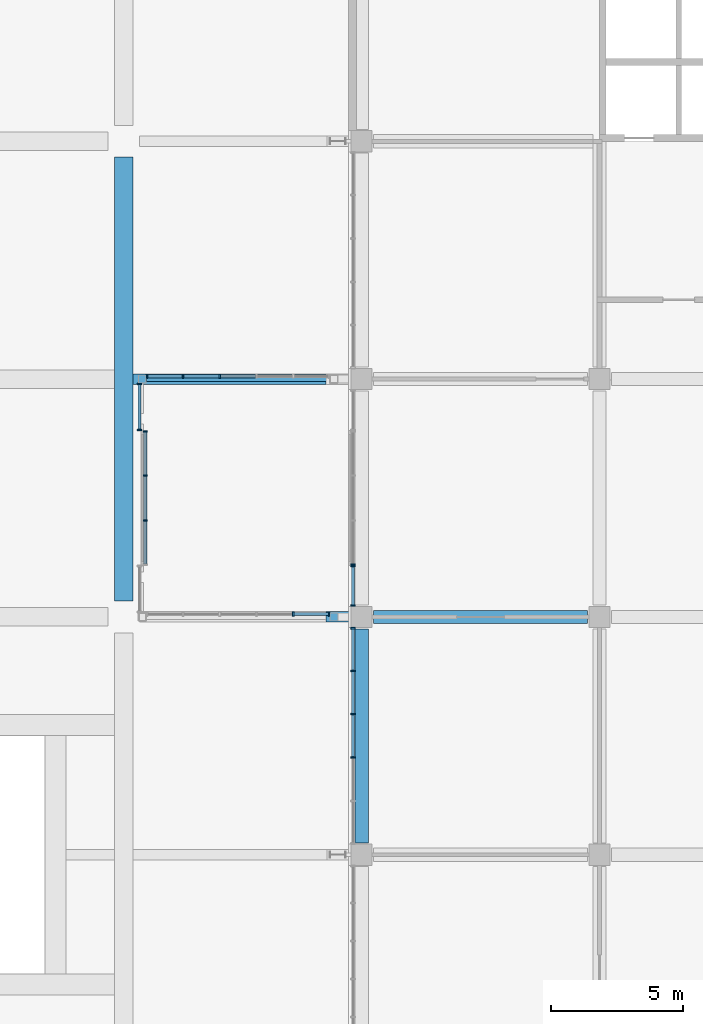
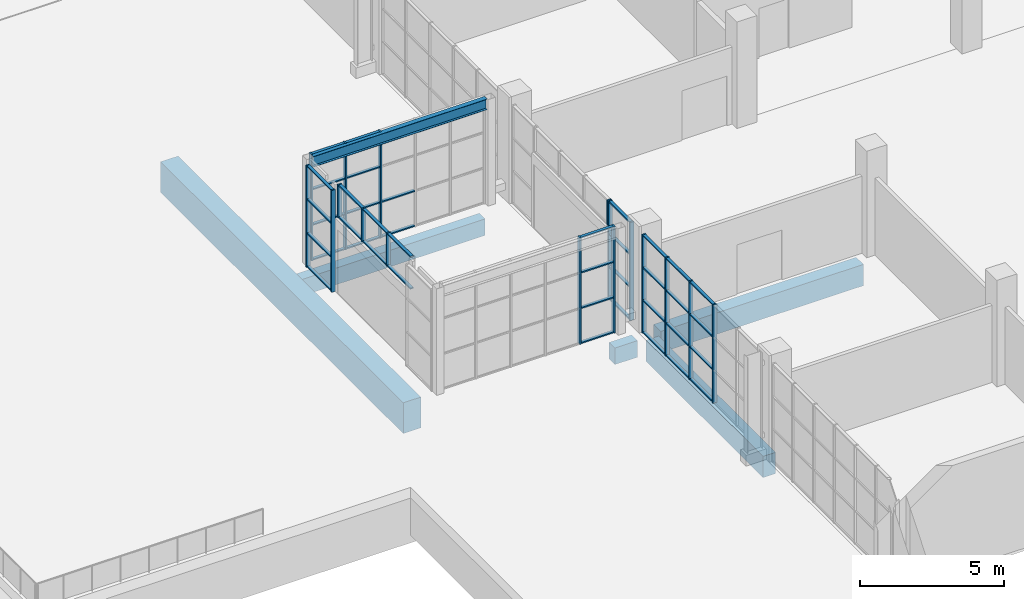
# One storey, part 24 of 168: 57 members, 6 beams, 7 elements without a shape of their own.
"""IFC4 building model written with IfcOpenShell, lengths in metres."""

import ifcopenshell
import ifcopenshell.guid

model = None  # the IFC model being written
_history = None  # IfcOwnerHistory: only IFC2X3 demands one
_inside = {}  # id of a spatial element -> (the spatial element, [elements in it])
_under = {}  # id of a project, library or spatial element -> (it, [spatial elements below it])
_declared = {}  # id of a project -> (the project, [libraries it declares])
_typed = {}  # id of a type object -> (the type object, [elements of that type])
_made_of = {}  # id of a material, layer set ... -> (it, [elements and type objects made of it])


def new_model(schema):
    """Start an empty IFC model of exactly this schema.

    Asked for "IFC4X3", IfcOpenShell would pick the latest addendum, in which some entities
    have other attributes; the version numbers below select the first issue.
    IFC2X3 requires an IfcOwnerHistory on every rooted entity: one is made here for all.
    """
    global model, _history
    if schema == "IFC4X3":
        model = ifcopenshell.file(schema_version=(4, 3, 0, 0))
    else:
        model = ifcopenshell.file(schema=schema)
    _inside.clear()
    _under.clear()
    _declared.clear()
    _typed.clear()
    _made_of.clear()
    _history = None
    if model.schema == "IFC2X3":
        org = make("IfcOrganization", Name="unknown")
        user = make(
            "IfcPersonAndOrganization",
            ThePerson=make("IfcPerson", FamilyName="unknown"),
            TheOrganization=org,
        )
        app = make(
            "IfcApplication",
            ApplicationDeveloper=org,
            Version="unknown",
            ApplicationFullName="unknown",
            ApplicationIdentifier="unknown",
        )
        _history = make(
            "IfcOwnerHistory",
            OwningUser=user,
            OwningApplication=app,
            ChangeAction="ADDED",
            CreationDate=0,
        )
    return model


def make(cls, **values):
    """One entity of the class cls with the attributes given. An attribute that is None is left unset."""
    return model.create_entity(
        cls, **{name: value for name, value in values.items() if value is not None}
    )


def rooted(cls, **values):
    """An entity with a GlobalId (a new one), such as an element, a storey or a relation."""
    return make(cls, GlobalId=ifcopenshell.guid.new(), OwnerHistory=_history, **values)


def si_unit(unit_type, name, prefix=None):
    """IfcSIUnit, for example si_unit("LENGTHUNIT", "METRE", prefix="MILLI")."""
    return make("IfcSIUnit", UnitType=unit_type, Prefix=prefix, Name=name)


def assignment(units):
    """IfcUnitAssignment: the units of a project."""
    return None if units is None else make("IfcUnitAssignment", Units=units)


def point(xyz):
    """IfcCartesianPoint."""
    return None if xyz is None else make("IfcCartesianPoint", Coordinates=xyz)


def direction(xyz):
    """IfcDirection."""
    return None if xyz is None else make("IfcDirection", DirectionRatios=xyz)


def frame(location, z_axis=None, x_axis=None):
    """IfcAxis2Placement3D, a coordinate frame: its origin and axes. An axis left out is left unset."""
    return make(
        "IfcAxis2Placement3D",
        Location=point(location),
        Axis=direction(z_axis),
        RefDirection=direction(x_axis),
    )


def frame_2d(location, x_axis=None):
    """IfcAxis2Placement2D, a coordinate frame in the plane: its origin and x axis."""
    return make(
        "IfcAxis2Placement2D", Location=point(location), RefDirection=direction(x_axis)
    )


def origin():
    """The frame at (0, 0, 0) with its axes left unset."""
    return frame((0.0, 0.0, 0.0))


def origin_2d():
    """The frame at (0, 0) in the plane with its x axis left unset."""
    return frame_2d((0.0, 0.0))


def place(relative_to, where):
    """IfcLocalPlacement: puts the frame where relative to a parent placement (None: the world)."""
    return make(
        "IfcLocalPlacement", PlacementRelTo=relative_to, RelativePlacement=where
    )


def context(
    kind, dimensions, precision=None, world=None, true_north=None, identifier=None
):
    """IfcGeometricRepresentationContext, for example the 3D "Model" context."""
    return make(
        "IfcGeometricRepresentationContext",
        ContextIdentifier=identifier,
        ContextType=kind,
        CoordinateSpaceDimension=dimensions,
        Precision=precision,
        WorldCoordinateSystem=world,
        TrueNorth=true_north,
    )


def subcontext(parent, identifier, kind, view, scale=None):
    """IfcGeometricRepresentationSubContext, for example "Body" below "Model"."""
    return make(
        "IfcGeometricRepresentationSubContext",
        ContextIdentifier=identifier,
        ContextType=kind,
        ParentContext=parent,
        TargetScale=scale,
        TargetView=view,
    )


def project(units=None, contexts=None):
    """IfcProject with its units and contexts."""
    return rooted(
        "IfcProject",
        Name="project",
        RepresentationContexts=contexts,
        UnitsInContext=assignment(units),
    )


def spatial(cls, under=None, at=None, **own):
    """A site, building, storey or space (cls), placed at a placement, below another one or the project."""
    s = rooted(cls, ObjectPlacement=at, **own)
    if under is not None:
        _under.setdefault(under.id(), (under, []))[1].append(s)
    return s


def profile(cls, at=None, kind="AREA", **sizes):
    """A parametric profile (cls). Its sizes go by their IFC names, for example OverallWidth=200.0."""
    return make(cls, ProfileType=kind, Position=at, **sizes)


def rectangle(**sizes):
    """IfcRectangleProfileDef."""
    return profile("IfcRectangleProfileDef", **sizes)


def i_section(**sizes):
    """IfcIShapeProfileDef."""
    return profile("IfcIShapeProfileDef", **sizes)


def extrude(swept, where, along, depth):
    """IfcExtrudedAreaSolid: the profile swept, set in the frame where, extruded along a direction by depth."""
    return make(
        "IfcExtrudedAreaSolid",
        SweptArea=swept,
        Position=where,
        ExtrudedDirection=direction(along),
        Depth=depth,
    )


def shape(context_of_items, identifier, shape_type, items):
    """IfcShapeRepresentation: the items that make up one representation, for example the "Body"."""
    return make(
        "IfcShapeRepresentation",
        ContextOfItems=context_of_items,
        RepresentationIdentifier=identifier,
        RepresentationType=shape_type,
        Items=items,
    )


def material(Name=None, Category=None):
    """IfcMaterial."""
    return make("IfcMaterial", Name=Name, Category=Category)


def material_profile(
    of_material, cross_section, Name=None, Category=None, Priority=None
):
    """IfcMaterialProfile: a cross section and its material."""
    return make(
        "IfcMaterialProfile",
        Name=Name,
        Material=of_material,
        Profile=cross_section,
        Priority=Priority,
        Category=Category,
    )


def profile_set(profiles, Name=None, composite=None):
    """IfcMaterialProfileSet."""
    return make(
        "IfcMaterialProfileSet",
        Name=Name,
        MaterialProfiles=profiles,
        CompositeProfile=composite,
    )


def made_of(thing, what):
    """Note that an element or type object is made of a material, layer set ...; save() writes the relation."""
    if what is not None:
        _made_of.setdefault(what.id(), (what, []))[1].append(thing)
    return thing


def type_object(cls, material=None, **own):
    """A type object (cls), such as IfcWallType, which elements share."""
    return made_of(rooted(cls, **own), material)


def element(
    cls,
    number,
    at=None,
    inside=None,
    cuts=None,
    type_object=None,
    material=None,
    context=None,
    identifier="Body",
    shape_type=None,
    held_by="IfcProductDefinitionShape",
    body=None,
    shapes=None,
    **own,
):
    """One element of the class cls, such as IfcWall. Its Tag is "e" and its number.

    at: its placement. inside: the storey or other place that contains it. cuts: it is an
    opening in that element (IfcRelVoidsElement). A single representation is given by context,
    identifier, shape_type and body (its items); several are given by shapes. held_by: the class
    of the entity that holds the representations. save() writes the other relations.
    """
    e = rooted(cls, Tag="e%d" % number, ObjectPlacement=at, **own)
    if body is not None:
        shapes = [shape(context, identifier, shape_type, body)]
    if shapes is not None:
        e.Representation = make(held_by, Representations=shapes)
    if inside is not None:
        _inside.setdefault(inside.id(), (inside, []))[1].append(e)
    if cuts is not None:
        rooted(
            "IfcRelVoidsElement", RelatingBuildingElement=cuts, RelatedOpeningElement=e
        )
    if type_object is not None:
        _typed.setdefault(type_object.id(), (type_object, []))[1].append(e)
    return made_of(e, material)


def aggregate(whole, parts):
    """IfcRelAggregates: a whole, such as a stair, and the parts it consists of."""
    return rooted("IfcRelAggregates", RelatingObject=whole, RelatedObjects=parts)


def save(model, path):
    """Write the relations noted so far, then the file.

    IfcRelAggregates (storeys below a building ...), IfcRelContainedInSpatialStructure (elements
    in a storey), IfcRelDefinesByType, IfcRelAssociatesMaterial and IfcRelDeclares: one each for
    every whole, place, type object, material and project.
    """
    for whole, parts in _under.values():
        aggregate(whole, parts)
    for where, things in _inside.values():
        rooted(
            "IfcRelContainedInSpatialStructure",
            RelatedElements=things,
            RelatingStructure=where,
        )
    for kind, things in _typed.values():
        rooted("IfcRelDefinesByType", RelatedObjects=things, RelatingType=kind)
    for what, things in _made_of.values():
        rooted("IfcRelAssociatesMaterial", RelatedObjects=things, RelatingMaterial=what)
    for by, libraries in _declared.values():
        rooted("IfcRelDeclares", RelatingContext=by, RelatedDefinitions=libraries)
    model.write(path)


model = new_model("IFC4")

# Units and contexts
model_context = context("Model", 3, precision=1e-05, world=origin(), true_north=direction((0.0, 1.0)))
body_context = subcontext(model_context, "Body", "Model", "MODEL_VIEW")
ifc_project = project(units=[si_unit("LENGTHUNIT", "METRE"), si_unit("AREAUNIT", "SQUARE_METRE"), si_unit("VOLUMEUNIT", "CUBIC_METRE"), si_unit("PLANEANGLEUNIT", "RADIAN"), si_unit("MASSUNIT", "GRAM", prefix="KILO")], contexts=[model_context])

# Site, building, storey
site_placement = place(None, origin())
site = spatial("IfcSite", under=ifc_project, at=site_placement, CompositionType="ELEMENT")
building_placement = place(site_placement, origin())
building = spatial("IfcBuilding", under=site, at=building_placement, Name="Silverbay Arena", CompositionType="ELEMENT")
storey_placement = place(building_placement, frame((0.0, 0.0, 7.0)))
storey = spatial("IfcBuildingStorey", under=building, at=storey_placement, Name="L01", CompositionType="ELEMENT", Elevation=7.0)

# Beam
ifc_material_1 = material(Name="Steel S355", Category="steel")
ifc_material_profile_1 = material_profile(ifc_material_1, i_section(OverallWidth=0.18994140625, OverallDepth=0.453369140625, WebThickness=0.008544921875, FlangeThickness=0.0126953125, at=origin_2d()), Name="UB 457x191x67")
ifc_profile_set_1 = profile_set([ifc_material_profile_1], Name="Steel S355")
beam_type_1 = type_object("IfcBeamType", Name="Hall beam UB 457x191x67", PredefinedType="BEAM", material=ifc_profile_set_1)
beam_1_placement = place(storey_placement, frame((25.800048828125, 63.0, 4.273193359375), z_axis=(-1.0, 0.0, 0.0), x_axis=(0.0, -1.0, 0.0)))
element("IfcBeam", 1, at=beam_1_placement, inside=storey, type_object=beam_type_1, Name="West entrance hall W0 transverse beam 2L11", PredefinedType="BEAM", context=body_context, shape_type="SweptSolid", body=[
    extrude(i_section(OverallWidth=0.18994140625, OverallDepth=0.453369140625, WebThickness=0.008544921875, FlangeThickness=0.0126953125, at=origin_2d()), origin(), (0.0, 0.0, 1.0), 6.949951171875),
])

# Curtain wall, members
ifc_material_2 = material(Name="Aluminium framed curtain wall", Category="aluminium")
curtain_wall_type_1 = type_object("IfcCurtainWallType", Name="Curtain wall 8200 x 4150", PredefinedType="NOTDEFINED", material=ifc_material_2)
curtain_wall_1_placement = place(storey_placement, origin())
curtain_wall_1 = element("IfcCurtainWall", 2, at=curtain_wall_1_placement, inside=storey, type_object=curtain_wall_type_1, Name="West curtain wall L01 bay 4", PredefinedType="NOTDEFINED")
ifc_material_3 = material(Name="Aluminium", Category="aluminium")
ifc_material_profile_2 = material_profile(ifc_material_3, rectangle(XDim=0.159912109375, YDim=0.06005859375, at=origin_2d()), Name="Mullion 60 x 160")
ifc_profile_set_2 = profile_set([ifc_material_profile_2], Name="Aluminium")
member_type_1 = type_object("IfcMemberType", Name="Mullion 60 x 160", PredefinedType="MULLION", material=ifc_profile_set_2)
member_1_placement = place(storey_placement, frame((26.669921875, 53.570068359375, 0.0), z_axis=(0.0, 0.0, 1.0), x_axis=(1.0, 0.0, 0.0)))
member_1 = element("IfcMember", 3, at=member_1_placement, type_object=member_type_1, Name="CW7 mullion 1", PredefinedType="MULLION", context=body_context, shape_type="SweptSolid", body=[
    extrude(rectangle(XDim=0.159912109375, YDim=0.06005859375, at=origin_2d()), origin(), (0.0, 0.0, 1.0), 4.14990234375),
])
member_2_placement = place(storey_placement, frame((26.669921875, 51.9599609375, 0.0), z_axis=(0.0, 0.0, 1.0), x_axis=(1.0, 0.0, 0.0)))
member_2 = element("IfcMember", 4, at=member_2_placement, type_object=member_type_1, Name="CW7 mullion 2", PredefinedType="MULLION", context=body_context, shape_type="SweptSolid", body=[
    extrude(rectangle(XDim=0.159912109375, YDim=0.06005859375, at=origin_2d()), origin(), (0.0, 0.0, 1.0), 4.14990234375),
])
member_3_placement = place(storey_placement, frame((26.669921875, 50.320068359375, 0.0), z_axis=(0.0, 0.0, 1.0), x_axis=(1.0, 0.0, 0.0)))
member_3 = element("IfcMember", 5, at=member_3_placement, type_object=member_type_1, Name="CW7 mullion 3", PredefinedType="MULLION", context=body_context, shape_type="SweptSolid", body=[
    extrude(rectangle(XDim=0.159912109375, YDim=0.06005859375, at=origin_2d()), origin(), (0.0, 0.0, 1.0), 4.14990234375),
])
member_4_placement = place(storey_placement, frame((26.669921875, 48.679931640625, 0.0), z_axis=(0.0, 0.0, 1.0), x_axis=(1.0, 0.0, 0.0)))
member_4 = element("IfcMember", 6, at=member_4_placement, type_object=member_type_1, Name="CW7 mullion 4", PredefinedType="MULLION", context=body_context, shape_type="SweptSolid", body=[
    extrude(rectangle(XDim=0.159912109375, YDim=0.06005859375, at=origin_2d()), origin(), (0.0, 0.0, 1.0), 4.14990234375),
])

ifc_material_4 = material(Name="Aluminium framed curtain wall", Category="aluminium")
curtain_wall_type_2 = type_object("IfcCurtainWallType", Name="Curtain wall 1550 x 4150", PredefinedType="NOTDEFINED", material=ifc_material_4)
curtain_wall_2_placement = place(storey_placement, origin())
curtain_wall_2 = element("IfcCurtainWall", 7, at=curtain_wall_2_placement, inside=storey, type_object=curtain_wall_type_2, Name="West curtain wall L01 bay 5", PredefinedType="NOTDEFINED")
member_5_placement = place(storey_placement, frame((26.669921875, 55.919921875, 0.0), z_axis=(0.0, 0.0, 1.0), x_axis=(1.0, 0.0, 0.0)))
member_5 = element("IfcMember", 8, at=member_5_placement, type_object=member_type_1, Name="CW8 mullion 1", PredefinedType="MULLION", context=body_context, shape_type="SweptSolid", body=[
    extrude(rectangle(XDim=0.159912109375, YDim=0.06005859375, at=origin_2d()), origin(), (0.0, 0.0, 1.0), 4.14990234375),
])
member_6_placement = place(storey_placement, frame((26.669921875, 54.429931640625, 0.0), z_axis=(0.0, 0.0, 1.0), x_axis=(1.0, 0.0, 0.0)))
member_6 = element("IfcMember", 9, at=member_6_placement, type_object=member_type_1, Name="CW8 mullion 2", PredefinedType="MULLION", context=body_context, shape_type="SweptSolid", body=[
    extrude(rectangle(XDim=0.159912109375, YDim=0.06005859375, at=origin_2d()), origin(), (0.0, 0.0, 1.0), 4.14990234375),
])

# Curtain wall, member
ifc_material_5 = material(Name="Aluminium framed curtain wall", Category="aluminium")
curtain_wall_type_3 = type_object("IfcCurtainWallType", Name="Curtain wall 5100 x 1050", PredefinedType="NOTDEFINED", material=ifc_material_5)
curtain_wall_3_placement = place(storey_placement, origin())
curtain_wall_3 = element("IfcCurtainWall", 10, at=curtain_wall_3_placement, inside=storey, type_object=curtain_wall_type_3, Name="West curtain wall L01 bay 5", PredefinedType="NOTDEFINED")
member_7_placement = place(storey_placement, frame((26.669921875, 55.97998046875, 3.10009765625), z_axis=(0.0, 0.0, 1.0), x_axis=(1.0, 0.0, 0.0)))
member_7 = element("IfcMember", 11, at=member_7_placement, type_object=member_type_1, Name="CW9 mullion 4", PredefinedType="MULLION", context=body_context, shape_type="SweptSolid", body=[
    extrude(rectangle(XDim=0.159912109375, YDim=0.06005859375, at=origin_2d()), origin(), (0.0, 0.0, 1.0), 1.0498046875),
])
aggregate(curtain_wall_3, [member_7])

# Curtain wall, members
ifc_material_6 = material(Name="Aluminium framed curtain wall", Category="aluminium")
curtain_wall_type_4 = type_object("IfcCurtainWallType", Name="Curtain wall 1800 x 4300", PredefinedType="NOTDEFINED", material=ifc_material_6)
curtain_wall_4_placement = place(storey_placement, origin())
curtain_wall_4 = element("IfcCurtainWall", 12, at=curtain_wall_4_placement, inside=storey, type_object=curtain_wall_type_4, Name="West entrance hall W0 glazing F0b", PredefinedType="NOTDEFINED")
member_8_placement = place(storey_placement, frame((18.590087890625, 61.080078125, 0.0), z_axis=(0.0, 0.0, 1.0), x_axis=(-1.0, 0.0, 0.0)))
member_8 = element("IfcMember", 13, at=member_8_placement, type_object=member_type_1, Name="CW49 mullion 1", PredefinedType="MULLION", context=body_context, shape_type="SweptSolid", body=[
    extrude(rectangle(XDim=0.159912109375, YDim=0.06005859375, at=origin_2d()), origin(), (0.0, 0.0, 1.0), 4.300048828125),
])
member_9_placement = place(storey_placement, frame((18.590087890625, 62.820068359375, 0.0), z_axis=(0.0, 0.0, 1.0), x_axis=(-1.0, 0.0, 0.0)))
member_9 = element("IfcMember", 14, at=member_9_placement, type_object=member_type_1, Name="CW49 mullion 2", PredefinedType="MULLION", context=body_context, shape_type="SweptSolid", body=[
    extrude(rectangle(XDim=0.159912109375, YDim=0.06005859375, at=origin_2d()), origin(), (0.0, 0.0, 1.0), 4.300048828125),
])

ifc_material_7 = material(Name="Aluminium framed curtain wall", Category="aluminium")
curtain_wall_type_5 = type_object("IfcCurtainWallType", Name="Curtain wall 6950 x 4500", PredefinedType="NOTDEFINED", material=ifc_material_7)
curtain_wall_5_placement = place(storey_placement, origin())
curtain_wall_5 = element("IfcCurtainWall", 15, at=curtain_wall_5_placement, inside=storey, type_object=curtain_wall_type_5, Name="West entrance hall W0 glazing SA", PredefinedType="NOTDEFINED")
member_10_placement = place(storey_placement, frame((24.409912109375, 54.110107421875, 0.0), z_axis=(0.0, 0.0, 1.0), x_axis=(0.0, 1.0, 0.0)))
member_10 = element("IfcMember", 16, at=member_10_placement, type_object=member_type_1, Name="CW51 mullion 5", PredefinedType="MULLION", context=body_context, shape_type="SweptSolid", body=[
    extrude(rectangle(XDim=0.159912109375, YDim=0.06005859375, at=origin_2d()), origin(), (0.0, 0.0, 1.0), 4.5),
])
member_11_placement = place(storey_placement, frame((25.77001953125, 54.110107421875, 0.0), z_axis=(0.0, 0.0, 1.0), x_axis=(0.0, 1.0, 0.0)))
member_11 = element("IfcMember", 17, at=member_11_placement, type_object=member_type_1, Name="CW51 mullion 6", PredefinedType="MULLION", context=body_context, shape_type="SweptSolid", body=[
    extrude(rectangle(XDim=0.159912109375, YDim=0.06005859375, at=origin_2d()), origin(), (0.0, 0.0, 1.0), 4.5),
])

curtain_wall_6_placement = place(storey_placement, origin())
curtain_wall_6 = element("IfcCurtainWall", 18, at=curtain_wall_6_placement, inside=storey, type_object=curtain_wall_type_5, Name="West entrance hall W0 glazing SB", PredefinedType="NOTDEFINED")
member_12_placement = place(storey_placement, frame((18.8798828125, 63.110107421875, 0.0), z_axis=(0.0, 0.0, 1.0), x_axis=(0.0, 1.0, 0.0)))
member_12 = element("IfcMember", 19, at=member_12_placement, type_object=member_type_1, Name="CW51 mullion 1", PredefinedType="MULLION", context=body_context, shape_type="SweptSolid", body=[
    extrude(rectangle(XDim=0.159912109375, YDim=0.06005859375, at=origin_2d()), origin(), (0.0, 0.0, 1.0), 4.5),
])
member_13_placement = place(storey_placement, frame((20.239990234375, 63.110107421875, 0.0), z_axis=(0.0, 0.0, 1.0), x_axis=(0.0, 1.0, 0.0)))
member_13 = element("IfcMember", 20, at=member_13_placement, type_object=member_type_1, Name="CW51 mullion 2", PredefinedType="MULLION", context=body_context, shape_type="SweptSolid", body=[
    extrude(rectangle(XDim=0.159912109375, YDim=0.06005859375, at=origin_2d()), origin(), (0.0, 0.0, 1.0), 4.5),
])
member_14_placement = place(storey_placement, frame((21.6298828125, 63.110107421875, 0.0), z_axis=(0.0, 0.0, 1.0), x_axis=(0.0, 1.0, 0.0)))
member_14 = element("IfcMember", 21, at=member_14_placement, type_object=member_type_1, Name="CW51 mullion 3", PredefinedType="MULLION", context=body_context, shape_type="SweptSolid", body=[
    extrude(rectangle(XDim=0.159912109375, YDim=0.06005859375, at=origin_2d()), origin(), (0.0, 0.0, 1.0), 4.5),
])

ifc_material_8 = material(Name="Aluminium framed curtain wall", Category="aluminium")
curtain_wall_type_6 = type_object("IfcCurtainWallType", Name="Curtain wall 5100 x 1400", PredefinedType="NOTDEFINED", material=ifc_material_8)
curtain_wall_7_placement = place(storey_placement, origin())
curtain_wall_7 = element("IfcCurtainWall", 22, at=curtain_wall_7_placement, inside=storey, type_object=curtain_wall_type_6, Name="West entrance hall W0 glazing over the door", PredefinedType="NOTDEFINED")
member_15_placement = place(storey_placement, frame((18.81005859375, 61.02001953125, 3.10009765625), z_axis=(0.0, 0.0, 1.0), x_axis=(1.0, 0.0, 0.0)))
member_15 = element("IfcMember", 23, at=member_15_placement, type_object=member_type_1, Name="CW39 mullion 1", PredefinedType="MULLION", context=body_context, shape_type="SweptSolid", body=[
    extrude(rectangle(XDim=0.159912109375, YDim=0.06005859375, at=origin_2d()), origin(), (0.0, 0.0, 1.0), 1.39990234375),
])
member_16_placement = place(storey_placement, frame((18.81005859375, 59.35009765625, 3.10009765625), z_axis=(0.0, 0.0, 1.0), x_axis=(1.0, 0.0, 0.0)))
member_16 = element("IfcMember", 24, at=member_16_placement, type_object=member_type_1, Name="CW39 mullion 2", PredefinedType="MULLION", context=body_context, shape_type="SweptSolid", body=[
    extrude(rectangle(XDim=0.159912109375, YDim=0.06005859375, at=origin_2d()), origin(), (0.0, 0.0, 1.0), 1.39990234375),
])
member_17_placement = place(storey_placement, frame((18.81005859375, 57.64990234375, 3.10009765625), z_axis=(0.0, 0.0, 1.0), x_axis=(1.0, 0.0, 0.0)))
member_17 = element("IfcMember", 25, at=member_17_placement, type_object=member_type_1, Name="CW39 mullion 3", PredefinedType="MULLION", context=body_context, shape_type="SweptSolid", body=[
    extrude(rectangle(XDim=0.159912109375, YDim=0.06005859375, at=origin_2d()), origin(), (0.0, 0.0, 1.0), 1.39990234375),
])

# Beams
ifc_material_9 = material(Name="Concrete Grade C45", Category="concrete")
ifc_material_profile_3 = material_profile(ifc_material_9, rectangle(XDim=0.39990234375, YDim=0.699951171875, at=origin_2d()), Name="RC 400x700")
ifc_profile_set_3 = profile_set([ifc_material_profile_3], Name="Concrete Grade C45")
beam_type_2 = type_object("IfcBeamType", Name="RC beam 400x700", PredefinedType="BEAM", material=ifc_profile_set_3)
beam_2_placement = place(storey_placement, frame((18.35009765625, 63.0, -0.800048828125), z_axis=(1.0, 0.0, 0.0), x_axis=(0.0, 1.0, 0.0)))
element("IfcBeam", 26, at=beam_2_placement, inside=storey, type_object=beam_type_2, Name="Deck row beam 078", PredefinedType="BEAM", context=body_context, shape_type="SweptSolid", body=[
    extrude(rectangle(XDim=0.39990234375, YDim=0.699951171875, at=origin_2d()), origin(), (0.0, 0.0, 1.0), 7.2998046875),
])
beam_3_placement = place(storey_placement, frame((25.64990234375, 54.0, -0.800048828125), z_axis=(1.0, 0.0, 0.0), x_axis=(0.0, 1.0, 0.0)))
element("IfcBeam", 27, at=beam_3_placement, inside=storey, type_object=beam_type_2, Name="Deck row beam 076 B", PredefinedType="BEAM", context=body_context, shape_type="SweptSolid", body=[
    extrude(rectangle(XDim=0.39990234375, YDim=0.699951171875, at=origin_2d()), origin(), (0.0, 0.0, 1.0), 0.900146484375),
])
ifc_material_10 = material(Name="Concrete Grade C45", Category="concrete")
ifc_material_profile_4 = material_profile(ifc_material_10, rectangle(XDim=0.5, YDim=0.89990234375, at=origin_2d()), Name="RC 500x900")
ifc_profile_set_4 = profile_set([ifc_material_profile_4], Name="Concrete Grade C45")
beam_type_3 = type_object("IfcBeamType", Name="RC beam 500x900", PredefinedType="BEAM", material=ifc_profile_set_4)
for number, where, z_axis, x_axis, name in (
    (28, (27.449951171875, 54.0, -0.800048828125), (1.0, 0.0, 0.0), (0.0, 1.0, 0.0), "Floor beam L01 046"),
    (29, (27.0, 45.449951171875, -0.800048828125), (0.0, 1.0, 0.0), (-1.0, 0.0, 0.0), "Floor beam L01 182"),
):
    element("IfcBeam", number, at=place(storey_placement, frame(where, z_axis=z_axis, x_axis=x_axis)), inside=storey, type_object=beam_type_3, Name=name, PredefinedType="BEAM", context=body_context, shape_type="SweptSolid", body=[
        extrude(rectangle(XDim=0.5, YDim=0.89990234375, at=origin_2d()), origin(), (0.0, 0.0, 1.0), 8.10009765625),
    ])
ifc_material_11 = material(Name="Concrete Grade C45", Category="concrete")
ifc_material_profile_5 = material_profile(ifc_material_11, rectangle(XDim=0.699951171875, YDim=1.300048828125, at=origin_2d()), Name="RC 700x1300")
ifc_profile_set_5 = profile_set([ifc_material_profile_5], Name="Concrete Grade C45")
beam_type_4 = type_object("IfcBeamType", Name="RC girder 700x1300", PredefinedType="BEAM", material=ifc_profile_set_5)
beam_4_placement = place(storey_placement, frame((18.0, 54.60009765625, -1.10009765625), z_axis=(0.0, 1.0, 0.0), x_axis=(-1.0, 0.0, 0.0)))
element("IfcBeam", 30, at=beam_4_placement, inside=storey, type_object=beam_type_4, Name="Deck girder 139", PredefinedType="BEAM", context=body_context, shape_type="SweptSolid", body=[
    extrude(rectangle(XDim=0.699951171875, YDim=1.300048828125, at=origin_2d()), origin(), (0.0, 0.0, 1.0), 16.7998046875),
])

# Member
ifc_material_12 = material(Name="Aluminium", Category="aluminium")
ifc_material_profile_6 = material_profile(ifc_material_12, rectangle(XDim=0.1201171875, YDim=0.050048828125, at=origin_2d()), Name="Transom 50 x 120")
ifc_profile_set_6 = profile_set([ifc_material_profile_6], Name="Aluminium")
member_type_2 = type_object("IfcMemberType", Name="Transom 50 x 120", PredefinedType="USERDEFINED", material=ifc_profile_set_6)
member_18_placement = place(storey_placement, frame((26.669921875, 53.5400390625, 0.02490234375), z_axis=(0.0, -1.0, 0.0), x_axis=(1.0, 0.0, 0.0)))
member_18 = element("IfcMember", 31, at=member_18_placement, type_object=member_type_2, Name="CW7 transom 1.1", ObjectType="TRANSOM", PredefinedType="USERDEFINED", context=body_context, shape_type="SweptSolid", body=[
    extrude(rectangle(XDim=0.1201171875, YDim=0.050048828125, at=origin_2d()), origin(), (0.0, 0.0, 1.0), 1.550048828125),
])

member_19_placement = place(storey_placement, frame((26.669921875, 53.5400390625, 1.38330078125), z_axis=(0.0, -1.0, 0.0), x_axis=(1.0, 0.0, 0.0)))
member_19 = element("IfcMember", 32, at=member_19_placement, type_object=member_type_2, Name="CW7 transom 1.2", ObjectType="TRANSOM", PredefinedType="USERDEFINED", context=body_context, shape_type="SweptSolid", body=[
    extrude(rectangle(XDim=0.1201171875, YDim=0.050048828125, at=origin_2d()), origin(), (0.0, 0.0, 1.0), 1.550048828125),
])

member_20_placement = place(storey_placement, frame((26.669921875, 53.5400390625, 2.7666015625), z_axis=(0.0, -1.0, 0.0), x_axis=(1.0, 0.0, 0.0)))
member_20 = element("IfcMember", 33, at=member_20_placement, type_object=member_type_2, Name="CW7 transom 1.3", ObjectType="TRANSOM", PredefinedType="USERDEFINED", context=body_context, shape_type="SweptSolid", body=[
    extrude(rectangle(XDim=0.1201171875, YDim=0.050048828125, at=origin_2d()), origin(), (0.0, 0.0, 1.0), 1.550048828125),
])

member_21_placement = place(storey_placement, frame((26.669921875, 53.5400390625, 4.125), z_axis=(0.0, -1.0, 0.0), x_axis=(1.0, 0.0, 0.0)))
member_21 = element("IfcMember", 34, at=member_21_placement, type_object=member_type_2, Name="CW7 transom 1.4", ObjectType="TRANSOM", PredefinedType="USERDEFINED", context=body_context, shape_type="SweptSolid", body=[
    extrude(rectangle(XDim=0.1201171875, YDim=0.050048828125, at=origin_2d()), origin(), (0.0, 0.0, 1.0), 1.550048828125),
])

member_22_placement = place(storey_placement, frame((26.669921875, 51.929931640625, 0.02490234375), z_axis=(0.0, -1.0, 0.0), x_axis=(1.0, 0.0, 0.0)))
member_22 = element("IfcMember", 35, at=member_22_placement, type_object=member_type_2, Name="CW7 transom 2.1", ObjectType="TRANSOM", PredefinedType="USERDEFINED", context=body_context, shape_type="SweptSolid", body=[
    extrude(rectangle(XDim=0.1201171875, YDim=0.050048828125, at=origin_2d()), origin(), (0.0, 0.0, 1.0), 1.579833984375),
])

member_23_placement = place(storey_placement, frame((26.669921875, 51.929931640625, 1.38330078125), z_axis=(0.0, -1.0, 0.0), x_axis=(1.0, 0.0, 0.0)))
member_23 = element("IfcMember", 36, at=member_23_placement, type_object=member_type_2, Name="CW7 transom 2.2", ObjectType="TRANSOM", PredefinedType="USERDEFINED", context=body_context, shape_type="SweptSolid", body=[
    extrude(rectangle(XDim=0.1201171875, YDim=0.050048828125, at=origin_2d()), origin(), (0.0, 0.0, 1.0), 1.579833984375),
])

member_24_placement = place(storey_placement, frame((26.669921875, 51.929931640625, 2.7666015625), z_axis=(0.0, -1.0, 0.0), x_axis=(1.0, 0.0, 0.0)))
member_24 = element("IfcMember", 37, at=member_24_placement, type_object=member_type_2, Name="CW7 transom 2.3", ObjectType="TRANSOM", PredefinedType="USERDEFINED", context=body_context, shape_type="SweptSolid", body=[
    extrude(rectangle(XDim=0.1201171875, YDim=0.050048828125, at=origin_2d()), origin(), (0.0, 0.0, 1.0), 1.579833984375),
])

member_25_placement = place(storey_placement, frame((26.669921875, 51.929931640625, 4.125), z_axis=(0.0, -1.0, 0.0), x_axis=(1.0, 0.0, 0.0)))
member_25 = element("IfcMember", 38, at=member_25_placement, type_object=member_type_2, Name="CW7 transom 2.4", ObjectType="TRANSOM", PredefinedType="USERDEFINED", context=body_context, shape_type="SweptSolid", body=[
    extrude(rectangle(XDim=0.1201171875, YDim=0.050048828125, at=origin_2d()), origin(), (0.0, 0.0, 1.0), 1.579833984375),
])

member_26_placement = place(storey_placement, frame((26.669921875, 50.2900390625, 0.02490234375), z_axis=(0.0, -1.0, 0.0), x_axis=(1.0, 0.0, 0.0)))
member_26 = element("IfcMember", 39, at=member_26_placement, type_object=member_type_2, Name="CW7 transom 3.1", ObjectType="TRANSOM", PredefinedType="USERDEFINED", context=body_context, shape_type="SweptSolid", body=[
    extrude(rectangle(XDim=0.1201171875, YDim=0.050048828125, at=origin_2d()), origin(), (0.0, 0.0, 1.0), 1.580078125),
])

member_27_placement = place(storey_placement, frame((26.669921875, 50.2900390625, 1.38330078125), z_axis=(0.0, -1.0, 0.0), x_axis=(1.0, 0.0, 0.0)))
member_27 = element("IfcMember", 40, at=member_27_placement, type_object=member_type_2, Name="CW7 transom 3.2", ObjectType="TRANSOM", PredefinedType="USERDEFINED", context=body_context, shape_type="SweptSolid", body=[
    extrude(rectangle(XDim=0.1201171875, YDim=0.050048828125, at=origin_2d()), origin(), (0.0, 0.0, 1.0), 1.580078125),
])

member_28_placement = place(storey_placement, frame((26.669921875, 50.2900390625, 2.7666015625), z_axis=(0.0, -1.0, 0.0), x_axis=(1.0, 0.0, 0.0)))
member_28 = element("IfcMember", 41, at=member_28_placement, type_object=member_type_2, Name="CW7 transom 3.3", ObjectType="TRANSOM", PredefinedType="USERDEFINED", context=body_context, shape_type="SweptSolid", body=[
    extrude(rectangle(XDim=0.1201171875, YDim=0.050048828125, at=origin_2d()), origin(), (0.0, 0.0, 1.0), 1.580078125),
])

member_29_placement = place(storey_placement, frame((26.669921875, 50.2900390625, 4.125), z_axis=(0.0, -1.0, 0.0), x_axis=(1.0, 0.0, 0.0)))
member_29 = element("IfcMember", 42, at=member_29_placement, type_object=member_type_2, Name="CW7 transom 3.4", ObjectType="TRANSOM", PredefinedType="USERDEFINED", context=body_context, shape_type="SweptSolid", body=[
    extrude(rectangle(XDim=0.1201171875, YDim=0.050048828125, at=origin_2d()), origin(), (0.0, 0.0, 1.0), 1.580078125),
])

aggregate(curtain_wall_1, [member_1, member_2, member_3, member_4, member_18, member_19, member_20, member_21, member_22, member_23, member_24, member_25, member_26, member_27, member_28, member_29])

member_30_placement = place(storey_placement, frame((26.669921875, 55.889892578125, 0.02490234375), z_axis=(0.0, -1.0, 0.0), x_axis=(1.0, 0.0, 0.0)))
member_30 = element("IfcMember", 43, at=member_30_placement, type_object=member_type_2, Name="CW8 transom 1.1", ObjectType="TRANSOM", PredefinedType="USERDEFINED", context=body_context, shape_type="SweptSolid", body=[
    extrude(rectangle(XDim=0.1201171875, YDim=0.050048828125, at=origin_2d()), origin(), (0.0, 0.0, 1.0), 1.429931640625),
])

member_31_placement = place(storey_placement, frame((26.669921875, 55.889892578125, 1.38330078125), z_axis=(0.0, -1.0, 0.0), x_axis=(1.0, 0.0, 0.0)))
member_31 = element("IfcMember", 44, at=member_31_placement, type_object=member_type_2, Name="CW8 transom 1.2", ObjectType="TRANSOM", PredefinedType="USERDEFINED", context=body_context, shape_type="SweptSolid", body=[
    extrude(rectangle(XDim=0.1201171875, YDim=0.050048828125, at=origin_2d()), origin(), (0.0, 0.0, 1.0), 1.429931640625),
])

member_32_placement = place(storey_placement, frame((26.669921875, 55.889892578125, 2.7666015625), z_axis=(0.0, -1.0, 0.0), x_axis=(1.0, 0.0, 0.0)))
member_32 = element("IfcMember", 45, at=member_32_placement, type_object=member_type_2, Name="CW8 transom 1.3", ObjectType="TRANSOM", PredefinedType="USERDEFINED", context=body_context, shape_type="SweptSolid", body=[
    extrude(rectangle(XDim=0.1201171875, YDim=0.050048828125, at=origin_2d()), origin(), (0.0, 0.0, 1.0), 1.429931640625),
])

member_33_placement = place(storey_placement, frame((26.669921875, 55.889892578125, 4.125), z_axis=(0.0, -1.0, 0.0), x_axis=(1.0, 0.0, 0.0)))
member_33 = element("IfcMember", 46, at=member_33_placement, type_object=member_type_2, Name="CW8 transom 1.4", ObjectType="TRANSOM", PredefinedType="USERDEFINED", context=body_context, shape_type="SweptSolid", body=[
    extrude(rectangle(XDim=0.1201171875, YDim=0.050048828125, at=origin_2d()), origin(), (0.0, 0.0, 1.0), 1.429931640625),
])

aggregate(curtain_wall_2, [member_5, member_6, member_30, member_31, member_32, member_33])

member_34_placement = place(storey_placement, frame((18.590087890625, 61.110107421875, 0.02490234375), z_axis=(0.0, 1.0, 0.0), x_axis=(-1.0, 0.0, 0.0)))
member_34 = element("IfcMember", 47, at=member_34_placement, type_object=member_type_2, Name="CW49 transom 1.1", ObjectType="TRANSOM", PredefinedType="USERDEFINED", context=body_context, shape_type="SweptSolid", body=[
    extrude(rectangle(XDim=0.1201171875, YDim=0.050048828125, at=origin_2d()), origin(), (0.0, 0.0, 1.0), 1.679931640625),
])

member_35_placement = place(storey_placement, frame((18.590087890625, 61.110107421875, 1.433349609375), z_axis=(0.0, 1.0, 0.0), x_axis=(-1.0, 0.0, 0.0)))
member_35 = element("IfcMember", 48, at=member_35_placement, type_object=member_type_2, Name="CW49 transom 1.2", ObjectType="TRANSOM", PredefinedType="USERDEFINED", context=body_context, shape_type="SweptSolid", body=[
    extrude(rectangle(XDim=0.1201171875, YDim=0.050048828125, at=origin_2d()), origin(), (0.0, 0.0, 1.0), 1.679931640625),
])

member_36_placement = place(storey_placement, frame((18.590087890625, 61.110107421875, 2.86669921875), z_axis=(0.0, 1.0, 0.0), x_axis=(-1.0, 0.0, 0.0)))
member_36 = element("IfcMember", 49, at=member_36_placement, type_object=member_type_2, Name="CW49 transom 1.3", ObjectType="TRANSOM", PredefinedType="USERDEFINED", context=body_context, shape_type="SweptSolid", body=[
    extrude(rectangle(XDim=0.1201171875, YDim=0.050048828125, at=origin_2d()), origin(), (0.0, 0.0, 1.0), 1.679931640625),
])

member_37_placement = place(storey_placement, frame((18.590087890625, 61.110107421875, 4.27490234375), z_axis=(0.0, 1.0, 0.0), x_axis=(-1.0, 0.0, 0.0)))
member_37 = element("IfcMember", 50, at=member_37_placement, type_object=member_type_2, Name="CW49 transom 1.4", ObjectType="TRANSOM", PredefinedType="USERDEFINED", context=body_context, shape_type="SweptSolid", body=[
    extrude(rectangle(XDim=0.1201171875, YDim=0.050048828125, at=origin_2d()), origin(), (0.0, 0.0, 1.0), 1.679931640625),
])

aggregate(curtain_wall_4, [member_8, member_9, member_34, member_35, member_36, member_37])

member_38_placement = place(storey_placement, frame((24.43994140625, 54.110107421875, 0.02490234375), z_axis=(1.0, 0.0, 0.0), x_axis=(0.0, 1.0, 0.0)))
member_38 = element("IfcMember", 51, at=member_38_placement, type_object=member_type_2, Name="CW51 transom 5.1", ObjectType="TRANSOM", PredefinedType="USERDEFINED", context=body_context, shape_type="SweptSolid", body=[
    extrude(rectangle(XDim=0.1201171875, YDim=0.050048828125, at=origin_2d()), origin(), (0.0, 0.0, 1.0), 1.300048828125),
])

member_39_placement = place(storey_placement, frame((24.43994140625, 54.110107421875, 1.5), z_axis=(1.0, 0.0, 0.0), x_axis=(0.0, 1.0, 0.0)))
member_39 = element("IfcMember", 52, at=member_39_placement, type_object=member_type_2, Name="CW51 transom 5.2", ObjectType="TRANSOM", PredefinedType="USERDEFINED", context=body_context, shape_type="SweptSolid", body=[
    extrude(rectangle(XDim=0.1201171875, YDim=0.050048828125, at=origin_2d()), origin(), (0.0, 0.0, 1.0), 1.300048828125),
])

member_40_placement = place(storey_placement, frame((24.43994140625, 54.110107421875, 3.0), z_axis=(1.0, 0.0, 0.0), x_axis=(0.0, 1.0, 0.0)))
member_40 = element("IfcMember", 53, at=member_40_placement, type_object=member_type_2, Name="CW51 transom 5.3", ObjectType="TRANSOM", PredefinedType="USERDEFINED", context=body_context, shape_type="SweptSolid", body=[
    extrude(rectangle(XDim=0.1201171875, YDim=0.050048828125, at=origin_2d()), origin(), (0.0, 0.0, 1.0), 1.300048828125),
])

member_41_placement = place(storey_placement, frame((24.43994140625, 54.110107421875, 4.47509765625), z_axis=(1.0, 0.0, 0.0), x_axis=(0.0, 1.0, 0.0)))
member_41 = element("IfcMember", 54, at=member_41_placement, type_object=member_type_2, Name="CW51 transom 5.4", ObjectType="TRANSOM", PredefinedType="USERDEFINED", context=body_context, shape_type="SweptSolid", body=[
    extrude(rectangle(XDim=0.1201171875, YDim=0.050048828125, at=origin_2d()), origin(), (0.0, 0.0, 1.0), 1.300048828125),
])

aggregate(curtain_wall_5, [member_10, member_11, member_38, member_39, member_40, member_41])

member_42_placement = place(storey_placement, frame((18.909912109375, 63.110107421875, 0.02490234375), z_axis=(1.0, 0.0, 0.0), x_axis=(0.0, 1.0, 0.0)))
member_42 = element("IfcMember", 55, at=member_42_placement, type_object=member_type_2, Name="CW51 transom 1.1", ObjectType="TRANSOM", PredefinedType="USERDEFINED", context=body_context, shape_type="SweptSolid", body=[
    extrude(rectangle(XDim=0.1201171875, YDim=0.050048828125, at=origin_2d()), origin(), (0.0, 0.0, 1.0), 1.300048828125),
])

member_43_placement = place(storey_placement, frame((18.909912109375, 63.110107421875, 1.5), z_axis=(1.0, 0.0, 0.0), x_axis=(0.0, 1.0, 0.0)))
member_43 = element("IfcMember", 56, at=member_43_placement, type_object=member_type_2, Name="CW51 transom 1.2", ObjectType="TRANSOM", PredefinedType="USERDEFINED", context=body_context, shape_type="SweptSolid", body=[
    extrude(rectangle(XDim=0.1201171875, YDim=0.050048828125, at=origin_2d()), origin(), (0.0, 0.0, 1.0), 1.300048828125),
])

member_44_placement = place(storey_placement, frame((18.909912109375, 63.110107421875, 3.0), z_axis=(1.0, 0.0, 0.0), x_axis=(0.0, 1.0, 0.0)))
member_44 = element("IfcMember", 57, at=member_44_placement, type_object=member_type_2, Name="CW51 transom 1.3", ObjectType="TRANSOM", PredefinedType="USERDEFINED", context=body_context, shape_type="SweptSolid", body=[
    extrude(rectangle(XDim=0.1201171875, YDim=0.050048828125, at=origin_2d()), origin(), (0.0, 0.0, 1.0), 1.300048828125),
])

member_45_placement = place(storey_placement, frame((18.909912109375, 63.110107421875, 4.47509765625), z_axis=(1.0, 0.0, 0.0), x_axis=(0.0, 1.0, 0.0)))
member_45 = element("IfcMember", 58, at=member_45_placement, type_object=member_type_2, Name="CW51 transom 1.4", ObjectType="TRANSOM", PredefinedType="USERDEFINED", context=body_context, shape_type="SweptSolid", body=[
    extrude(rectangle(XDim=0.1201171875, YDim=0.050048828125, at=origin_2d()), origin(), (0.0, 0.0, 1.0), 1.300048828125),
])

member_46_placement = place(storey_placement, frame((20.27001953125, 63.110107421875, 0.02490234375), z_axis=(1.0, 0.0, 0.0), x_axis=(0.0, 1.0, 0.0)))
member_46 = element("IfcMember", 59, at=member_46_placement, type_object=member_type_2, Name="CW51 transom 2.1", ObjectType="TRANSOM", PredefinedType="USERDEFINED", context=body_context, shape_type="SweptSolid", body=[
    extrude(rectangle(XDim=0.1201171875, YDim=0.050048828125, at=origin_2d()), origin(), (0.0, 0.0, 1.0), 1.330078125),
])

member_47_placement = place(storey_placement, frame((20.27001953125, 63.110107421875, 1.5), z_axis=(1.0, 0.0, 0.0), x_axis=(0.0, 1.0, 0.0)))
member_47 = element("IfcMember", 60, at=member_47_placement, type_object=member_type_2, Name="CW51 transom 2.2", ObjectType="TRANSOM", PredefinedType="USERDEFINED", context=body_context, shape_type="SweptSolid", body=[
    extrude(rectangle(XDim=0.1201171875, YDim=0.050048828125, at=origin_2d()), origin(), (0.0, 0.0, 1.0), 1.330078125),
])

member_48_placement = place(storey_placement, frame((20.27001953125, 63.110107421875, 3.0), z_axis=(1.0, 0.0, 0.0), x_axis=(0.0, 1.0, 0.0)))
member_48 = element("IfcMember", 61, at=member_48_placement, type_object=member_type_2, Name="CW51 transom 2.3", ObjectType="TRANSOM", PredefinedType="USERDEFINED", context=body_context, shape_type="SweptSolid", body=[
    extrude(rectangle(XDim=0.1201171875, YDim=0.050048828125, at=origin_2d()), origin(), (0.0, 0.0, 1.0), 1.330078125),
])

member_49_placement = place(storey_placement, frame((20.27001953125, 63.110107421875, 4.47509765625), z_axis=(1.0, 0.0, 0.0), x_axis=(0.0, 1.0, 0.0)))
member_49 = element("IfcMember", 62, at=member_49_placement, type_object=member_type_2, Name="CW51 transom 2.4", ObjectType="TRANSOM", PredefinedType="USERDEFINED", context=body_context, shape_type="SweptSolid", body=[
    extrude(rectangle(XDim=0.1201171875, YDim=0.050048828125, at=origin_2d()), origin(), (0.0, 0.0, 1.0), 1.330078125),
])

member_50_placement = place(storey_placement, frame((21.659912109375, 63.110107421875, 0.02490234375), z_axis=(1.0, 0.0, 0.0), x_axis=(0.0, 1.0, 0.0)))
member_50 = element("IfcMember", 63, at=member_50_placement, type_object=member_type_2, Name="CW51 transom 3.1", ObjectType="TRANSOM", PredefinedType="USERDEFINED", context=body_context, shape_type="SweptSolid", body=[
    extrude(rectangle(XDim=0.1201171875, YDim=0.050048828125, at=origin_2d()), origin(), (0.0, 0.0, 1.0), 1.330078125),
])

member_51_placement = place(storey_placement, frame((21.659912109375, 63.110107421875, 1.5), z_axis=(1.0, 0.0, 0.0), x_axis=(0.0, 1.0, 0.0)))
member_51 = element("IfcMember", 64, at=member_51_placement, type_object=member_type_2, Name="CW51 transom 3.2", ObjectType="TRANSOM", PredefinedType="USERDEFINED", context=body_context, shape_type="SweptSolid", body=[
    extrude(rectangle(XDim=0.1201171875, YDim=0.050048828125, at=origin_2d()), origin(), (0.0, 0.0, 1.0), 1.330078125),
])

aggregate(curtain_wall_6, [member_12, member_13, member_14, member_42, member_43, member_44, member_45, member_46, member_47, member_48, member_49, member_50, member_51])

member_52_placement = place(storey_placement, frame((18.81005859375, 60.989990234375, 3.125), z_axis=(0.0, -1.0, 0.0), x_axis=(1.0, 0.0, 0.0)))
member_52 = element("IfcMember", 65, at=member_52_placement, type_object=member_type_2, Name="CW39 transom 1.1", ObjectType="TRANSOM", PredefinedType="USERDEFINED", context=body_context, shape_type="SweptSolid", body=[
    extrude(rectangle(XDim=0.1201171875, YDim=0.050048828125, at=origin_2d()), origin(), (0.0, 0.0, 1.0), 1.610107421875),
])

member_53_placement = place(storey_placement, frame((18.81005859375, 60.989990234375, 4.47509765625), z_axis=(0.0, -1.0, 0.0), x_axis=(1.0, 0.0, 0.0)))
member_53 = element("IfcMember", 66, at=member_53_placement, type_object=member_type_2, Name="CW39 transom 1.2", ObjectType="TRANSOM", PredefinedType="USERDEFINED", context=body_context, shape_type="SweptSolid", body=[
    extrude(rectangle(XDim=0.1201171875, YDim=0.050048828125, at=origin_2d()), origin(), (0.0, 0.0, 1.0), 1.610107421875),
])

member_54_placement = place(storey_placement, frame((18.81005859375, 59.320068359375, 3.125), z_axis=(0.0, -1.0, 0.0), x_axis=(1.0, 0.0, 0.0)))
member_54 = element("IfcMember", 67, at=member_54_placement, type_object=member_type_2, Name="CW39 transom 2.1", ObjectType="TRANSOM", PredefinedType="USERDEFINED", context=body_context, shape_type="SweptSolid", body=[
    extrude(rectangle(XDim=0.1201171875, YDim=0.050048828125, at=origin_2d()), origin(), (0.0, 0.0, 1.0), 1.64013671875),
])

member_55_placement = place(storey_placement, frame((18.81005859375, 59.320068359375, 4.47509765625), z_axis=(0.0, -1.0, 0.0), x_axis=(1.0, 0.0, 0.0)))
member_55 = element("IfcMember", 68, at=member_55_placement, type_object=member_type_2, Name="CW39 transom 2.2", ObjectType="TRANSOM", PredefinedType="USERDEFINED", context=body_context, shape_type="SweptSolid", body=[
    extrude(rectangle(XDim=0.1201171875, YDim=0.050048828125, at=origin_2d()), origin(), (0.0, 0.0, 1.0), 1.64013671875),
])

member_56_placement = place(storey_placement, frame((18.81005859375, 57.6201171875, 3.125), z_axis=(0.0, -1.0, 0.0), x_axis=(1.0, 0.0, 0.0)))
member_56 = element("IfcMember", 69, at=member_56_placement, type_object=member_type_2, Name="CW39 transom 3.1", ObjectType="TRANSOM", PredefinedType="USERDEFINED", context=body_context, shape_type="SweptSolid", body=[
    extrude(rectangle(XDim=0.1201171875, YDim=0.050048828125, at=origin_2d()), origin(), (0.0, 0.0, 1.0), 1.610107421875),
])

member_57_placement = place(storey_placement, frame((18.81005859375, 57.6201171875, 4.47509765625), z_axis=(0.0, -1.0, 0.0), x_axis=(1.0, 0.0, 0.0)))
member_57 = element("IfcMember", 70, at=member_57_placement, type_object=member_type_2, Name="CW39 transom 3.2", ObjectType="TRANSOM", PredefinedType="USERDEFINED", context=body_context, shape_type="SweptSolid", body=[
    extrude(rectangle(XDim=0.1201171875, YDim=0.050048828125, at=origin_2d()), origin(), (0.0, 0.0, 1.0), 1.610107421875),
])

aggregate(curtain_wall_7, [member_15, member_16, member_17, member_52, member_53, member_54, member_55, member_56, member_57])

save(model, "model.ifc")
